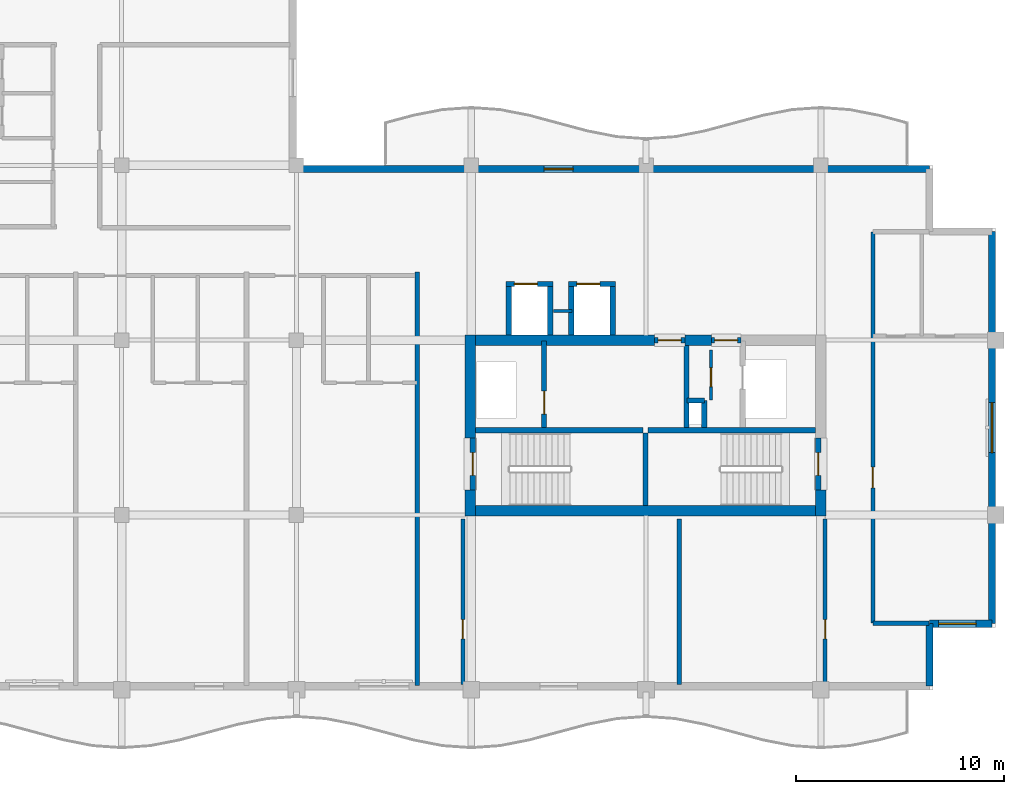
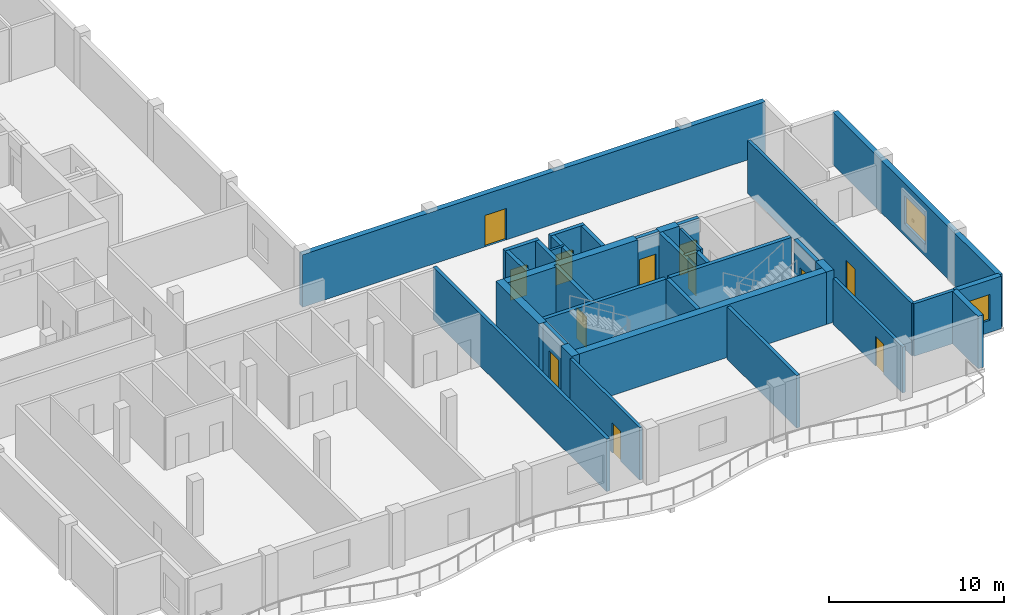
# One storey, part 7 of 17: 35 walls, 12 doors, 2 windows, 14 openings.
"""IFC4 building model written with IfcOpenShell, lengths in metres."""

from ifc_helpers import new_model, si_unit, direction, frame, frame_2d, origin, place, context, subcontext, project, spatial, rectangle, extrude, material, layer, layer_set, type_object, element, fill, save


model = new_model("IFC4")

# Units and contexts
model_context = context("Model", 3, precision=1e-05, world=origin(), true_north=direction((0.0, 1.0)))
body_context = subcontext(model_context, "Body", "Model", "MODEL_VIEW")
ifc_project = project(units=[si_unit("LENGTHUNIT", "METRE"), si_unit("AREAUNIT", "SQUARE_METRE"), si_unit("VOLUMEUNIT", "CUBIC_METRE"), si_unit("PLANEANGLEUNIT", "RADIAN"), si_unit("MASSUNIT", "GRAM", prefix="KILO")], contexts=[model_context])

# Site, building, storey
site_placement = place(None, origin())
site = spatial("IfcSite", under=ifc_project, at=site_placement, CompositionType="ELEMENT")
building_placement = place(site_placement, origin())
building = spatial("IfcBuilding", under=site, at=building_placement, Name="Koriwani Terraces Tower", CompositionType="ELEMENT")
storey_placement = place(building_placement, frame((0.0, 0.0, 316.39990234375)))
storey = spatial("IfcBuildingStorey", under=building, at=storey_placement, Name="L78", CompositionType="ELEMENT", Elevation=316.39990234375)

# Walls
ifc_material_1 = material(Name="Concrete C50/60", Category="concrete")
ifc_layer_1 = layer(ifc_material_1, 0.5, Name="Concrete C50/60")
ifc_layer_set_1 = layer_set([ifc_layer_1], Name="Concrete C50/60")
wall_type_1 = type_object("IfcWallType", Name="WALL_CORE_RC_500", PredefinedType="SHEAR", material=ifc_layer_set_1)
wall_1_placement = place(storey_placement, frame((41.949951171875, 16.75, 0.0), z_axis=(0.0, 0.0, 1.0), x_axis=(0.0, 1.0, 0.0)))
element("IfcWall", 1, at=wall_1_placement, inside=storey, type_object=wall_type_1, Name="L78 East Split Core Shear Wall W1", PredefinedType="SHEAR", context=body_context, shape_type="SweptSolid", body=[
    extrude(rectangle(XDim=1.25, YDim=0.5, at=frame_2d((0.625, 0.0))), origin(), (0.0, 0.0, 1.0), 3.670166015625),
])
wall_2_placement = place(storey_placement, frame((41.949951171875, 20.5, 0.0), z_axis=(0.0, 0.0, 1.0), x_axis=(0.0, 1.0, 0.0)))
element("IfcWall", 2, at=wall_2_placement, inside=storey, type_object=wall_type_1, Name="L78 East Split Core Shear Wall W2", PredefinedType="SHEAR", context=body_context, shape_type="SweptSolid", body=[
    extrude(rectangle(XDim=4.949951171875, YDim=0.5, at=frame_2d((2.47509765625, 0.0))), origin(), (0.0, 0.0, 1.0), 3.670166015625),
])
wall_3_placement = place(storey_placement, frame((58.800048828125, 16.75, 0.0), z_axis=(0.0, 0.0, 1.0), x_axis=(0.0, 1.0, 0.0)))
element("IfcWall", 3, at=wall_3_placement, inside=storey, type_object=wall_type_1, Name="L78 East Split Core Shear Wall E1", PredefinedType="SHEAR", context=body_context, shape_type="SweptSolid", body=[
    extrude(rectangle(XDim=1.25, YDim=0.5, at=frame_2d((0.625, 0.0))), origin(), (0.0, 0.0, 1.0), 3.670166015625),
])
wall_4_placement = place(storey_placement, frame((42.199951171875, 17.0, 0.0), z_axis=(0.0, 0.0, 1.0), x_axis=(1.0, 0.0, 0.0)))
element("IfcWall", 4, at=wall_4_placement, inside=storey, type_object=wall_type_1, Name="L78 East Split Core Shear Wall S1", PredefinedType="SHEAR", context=body_context, shape_type="SweptSolid", body=[
    extrude(rectangle(XDim=16.35009765625, YDim=0.5, at=frame_2d((8.175048828125, 0.0))), origin(), (0.0, 0.0, 1.0), 3.670166015625),
])
wall_5_placement = place(storey_placement, frame((42.199951171875, 25.199951171875, 0.0), z_axis=(0.0, 0.0, 1.0), x_axis=(1.0, 0.0, 0.0)))
element("IfcWall", 5, at=wall_5_placement, inside=storey, type_object=wall_type_1, Name="L78 East Split Core Shear Wall N1", PredefinedType="SHEAR", context=body_context, shape_type="SweptSolid", body=[
    extrude(rectangle(XDim=8.60009765625, YDim=0.5, at=frame_2d((4.300048828125, 0.0))), origin(), (0.0, 0.0, 1.0), 3.670166015625),
])
wall_6_placement = place(storey_placement, frame((52.280029296875, 25.199951171875, 0.0), z_axis=(0.0, 0.0, 1.0), x_axis=(1.0, 0.0, 0.0)))
element("IfcWall", 6, at=wall_6_placement, inside=storey, type_object=wall_type_1, Name="L78 East Split Core Shear Wall N2", PredefinedType="SHEAR", context=body_context, shape_type="SweptSolid", body=[
    extrude(rectangle(XDim=1.27001953125, YDim=0.5, at=frame_2d((0.635009765625, 0.0))), origin(), (0.0, 0.0, 1.0), 3.670166015625),
])

# Wall, opening, door
ifc_material_2 = material(Name="Autoclaved Cellular Concrete Blockwork", Category="masonry")
ifc_layer_2 = layer(ifc_material_2, 0.199951171875, Name="Autoclaved Cellular Concrete Blockwork")
ifc_layer_set_2 = layer_set([ifc_layer_2], Name="Autoclaved Cellular Concrete Blockwork")
wall_type_2 = type_object("IfcWallType", Name="WALL_CORRIDOR_200", PredefinedType="PARTITIONING", material=ifc_layer_set_2)
wall_7_placement = place(storey_placement, frame((41.60009765625, 8.64990234375, 0.0), z_axis=(0.0, 0.0, 1.0), x_axis=(0.0, 1.0, 0.0)))
wall_7 = element("IfcWall", 7, at=wall_7_placement, inside=storey, type_object=wall_type_2, Name="L78 Interior Wall WRZ4-EW-L78", PredefinedType="PARTITIONING", context=body_context, shape_type="SweptSolid", body=[
    extrude(rectangle(XDim=7.9501953125, YDim=0.199951171875, at=frame_2d((3.97509765625, 0.0))), origin(), (0.0, 0.0, 1.0), 3.670166015625),
])
opening_1_placement = place(wall_7_placement, frame((2.199951171875, 0.0, 0.0)))
opening_1 = element("IfcOpeningElement", 8, at=opening_1_placement, cuts=wall_7, Name="Opening D-06", PredefinedType="OPENING", context=body_context, shape_type="SweptSolid", body=[
    extrude(rectangle(XDim=0.919921875, YDim=2.10009765625, at=frame_2d((0.4599609375, 1.050048828125))), frame((0.0, 0.10986328125, 0.0), z_axis=(0.0, -1.0, 0.0), x_axis=(1.0, 0.0, 0.0)), (0.0, 0.0, 1.0), 0.219970703125),
])
ifc_material_3 = material(Name="Architectural Oak Fire Door", Category="wood")
door_type_1 = type_object("IfcDoorType", Name="DOOR_ROOM_INT_920X2100", OperationType="NOTDEFINED", PredefinedType="DOOR", material=ifc_material_3)
door_1_placement = place(opening_1_placement, origin())
door_1 = element("IfcDoor", 9, at=door_1_placement, inside=storey, type_object=door_type_1, Name="L78 Resident Library Study Door", OperationType="SINGLE_SWING_LEFT", OverallHeight=2.10009765625, OverallWidth=0.919921875, PredefinedType="DOOR", context=body_context, shape_type="SweptSolid", body=[
    extrude(rectangle(XDim=0.919921875, YDim=2.10009765625, at=frame_2d((0.4599609375, 1.050048828125))), frame((0.0, 0.02490234375, 0.0), z_axis=(0.0, -1.0, 0.0), x_axis=(1.0, 0.0, 0.0)), (0.0, 0.0, 1.0), 0.050048828125),
])
fill(opening_1, door_1)

wall_8_placement = place(storey_placement, frame((59.0, 8.64990234375, 0.0), z_axis=(0.0, 0.0, 1.0), x_axis=(0.0, 1.0, 0.0)))
wall_8 = element("IfcWall", 10, at=wall_8_placement, inside=storey, type_object=wall_type_2, Name="L78 Interior Wall WRZ4-EE-L78", PredefinedType="PARTITIONING", context=body_context, shape_type="SweptSolid", body=[
    extrude(rectangle(XDim=7.9501953125, YDim=0.199951171875, at=frame_2d((3.97509765625, 0.0))), origin(), (0.0, 0.0, 1.0), 3.20703125),
])
opening_2_placement = place(wall_8_placement, frame((2.199951171875, 0.0, 0.0)))
opening_2 = element("IfcOpeningElement", 11, at=opening_2_placement, cuts=wall_8, Name="Opening D-06", PredefinedType="OPENING", context=body_context, shape_type="SweptSolid", body=[
    extrude(rectangle(XDim=0.919921875, YDim=2.10009765625, at=frame_2d((0.4599609375, 1.050048828125))), frame((0.0, 0.10986328125, 0.0), z_axis=(0.0, -1.0, 0.0), x_axis=(1.0, 0.0, 0.0)), (0.0, 0.0, 1.0), 0.219970703125),
])
door_2_placement = place(opening_2_placement, origin())
door_2 = element("IfcDoor", 12, at=door_2_placement, inside=storey, type_object=door_type_1, Name="L78 Resident Laundry Room Door", OperationType="SINGLE_SWING_RIGHT", OverallHeight=2.10009765625, OverallWidth=0.919921875, PredefinedType="DOOR", context=body_context, shape_type="SweptSolid", body=[
    extrude(rectangle(XDim=0.919921875, YDim=2.10009765625, at=frame_2d((0.4599609375, 1.050048828125))), frame((0.0, 0.02490234375, 0.0), z_axis=(0.0, -1.0, 0.0), x_axis=(1.0, 0.0, 0.0)), (0.0, 0.0, 1.0), 0.050048828125),
])
fill(opening_2, door_2)

wall_9_placement = place(storey_placement, frame((61.300048828125, 11.60009765625, 0.0), z_axis=(0.0, 0.0, 1.0), x_axis=(0.0, 1.0, 0.0)))
wall_9 = element("IfcWall", 13, at=wall_9_placement, inside=storey, type_object=wall_type_2, Name="L78 Interior Wall WET-W-L78", PredefinedType="PARTITIONING", context=body_context, shape_type="SweptSolid", body=[
    extrude(rectangle(XDim=18.7998046875, YDim=0.199951171875, at=frame_2d((9.39990234375, 0.0))), origin(), (0.0, 0.0, 1.0), 3.670166015625),
])
opening_3_placement = place(wall_9_placement, frame((6.5, 0.0, 0.0)))
opening_3 = element("IfcOpeningElement", 14, at=opening_3_placement, cuts=wall_9, Name="Opening D-05", PredefinedType="OPENING", context=body_context, shape_type="SweptSolid", body=[
    extrude(rectangle(XDim=1.0, YDim=2.14990234375, at=frame_2d((0.5, 1.074951171875))), frame((0.0, 0.10986328125, 0.0), z_axis=(0.0, -1.0, 0.0), x_axis=(1.0, 0.0, 0.0)), (0.0, 0.0, 1.0), 0.219970703125),
])
door_type_2 = type_object("IfcDoorType", Name="DOOR_SUITE_ENTRY_1000X2150", OperationType="NOTDEFINED", PredefinedType="DOOR", material=ifc_material_3)
door_3_placement = place(opening_3_placement, origin())
door_3 = element("IfcDoor", 15, at=door_3_placement, inside=storey, type_object=door_type_2, Name="Apartment 78ET Entrance Door", OperationType="SINGLE_SWING_LEFT", OverallHeight=2.14990234375, OverallWidth=1.0, PredefinedType="DOOR", context=body_context, shape_type="SweptSolid", body=[
    extrude(rectangle(XDim=1.0, YDim=2.14990234375, at=frame_2d((0.5, 1.074951171875))), frame((0.0, 0.02490234375, 0.0), z_axis=(0.0, -1.0, 0.0), x_axis=(1.0, 0.0, 0.0)), (0.0, 0.0, 1.0), 0.050048828125),
])
fill(opening_3, door_3)

# Walls
ifc_layer_3 = layer(ifc_material_2, 0.219970703125, Name="Autoclaved Cellular Concrete Blockwork")
ifc_layer_set_3 = layer_set([ifc_layer_3], Name="Autoclaved Cellular Concrete Blockwork")
wall_type_3 = type_object("IfcWallType", Name="WALL_DEMISING_220", PredefinedType="PARTITIONING", material=ifc_layer_set_3)
wall_10_placement = place(storey_placement, frame((52.0, 8.64990234375, 0.0), z_axis=(0.0, 0.0, 1.0), x_axis=(0.0, 1.0, 0.0)))
element("IfcWall", 16, at=wall_10_placement, inside=storey, type_object=wall_type_3, Name="L78 Interior Wall WRZ4-EM-L78", PredefinedType="PARTITIONING", context=body_context, shape_type="SweptSolid", body=[
    extrude(rectangle(XDim=7.9501953125, YDim=0.219970703125, at=frame_2d((3.97509765625, 0.0))), origin(), (0.0, 0.0, 1.0), 3.670166015625),
])
wall_11_placement = place(storey_placement, frame((39.39990234375, 8.60009765625, 0.0), z_axis=(0.0, 0.0, 1.0), x_axis=(0.0, 1.0, 0.0)))
element("IfcWall", 17, at=wall_11_placement, inside=storey, type_object=wall_type_3, Name="L78 Interior Wall WRDEME-L78-SW", PredefinedType="PARTITIONING", context=body_context, shape_type="SweptSolid", body=[
    extrude(rectangle(XDim=19.8798828125, YDim=0.219970703125, at=frame_2d((9.93994140625, 0.0))), origin(), (0.0, 0.0, 1.0), 3.670166015625),
])
wall_12_placement = place(storey_placement, frame((61.300048828125, 11.60009765625, 0.0), z_axis=(0.0, 0.0, 1.0), x_axis=(1.0, 0.0, 0.0)))
element("IfcWall", 18, at=wall_12_placement, inside=storey, type_object=wall_type_3, Name="L78 Interior Wall WET-S-L78", PredefinedType="PARTITIONING", context=body_context, shape_type="SweptSolid", body=[
    extrude(rectangle(XDim=2.699951171875, YDim=0.219970703125, at=frame_2d((1.35009765625, 0.0))), origin(), (0.0, 0.0, 1.0), 3.670166015625),
])

# Wall, opening, door
ifc_layer_4 = layer(ifc_material_1, 0.35009765625, Name="Concrete C50/60")
ifc_layer_set_4 = layer_set([ifc_layer_4], Name="Concrete C50/60")
wall_type_4 = type_object("IfcWallType", Name="WALL_EXT_BRUTALIST_350", PredefinedType="STANDARD", material=ifc_layer_set_4)
wall_13_placement = place(storey_placement, frame((33.425048828125, 33.425048828125, 0.0), z_axis=(0.0, 0.0, 1.0), x_axis=(1.0, 0.0, 0.0)))
wall_13 = element("IfcWall", 19, at=wall_13_placement, inside=storey, type_object=wall_type_4, Name="L78 Fair-Faced Brutalist Exterior Wall (NE)", PredefinedType="STANDARD", context=body_context, shape_type="SweptSolid", body=[
    extrude(rectangle(XDim=30.599853515625, YDim=0.35009765625, at=frame_2d((15.2998046875, 0.0))), origin(), (0.0, 0.0, 1.0), 3.670166015625),
])
opening_4_placement = place(wall_13_placement, frame((12.074951171875, 0.0, 0.0)))
opening_4 = element("IfcOpeningElement", 20, at=opening_4_placement, cuts=wall_13, Name="Opening D-09", PredefinedType="OPENING", context=body_context, shape_type="SweptSolid", body=[
    extrude(rectangle(XDim=1.39990234375, YDim=2.199951171875, at=frame_2d((0.699951171875, 1.10009765625))), frame((0.0, 0.18505859375, 0.0), z_axis=(0.0, -1.0, 0.0), x_axis=(1.0, 0.0, 0.0)), (0.0, 0.0, 1.0), 0.3701171875),
])
ifc_material_4 = material(Name="Anodised Bronze Aluminium", Category="aluminium")
door_type_3 = type_object("IfcDoorType", Name="DOOR_BALCONY_GLAZED_1400X2200", OperationType="NOTDEFINED", PredefinedType="DOOR", material=ifc_material_4)
door_4_placement = place(opening_4_placement, origin())
door_4 = element("IfcDoor", 21, at=door_4_placement, inside=storey, type_object=door_type_3, Name="L78 Inner Court Balcony Glazed Door", OperationType="SINGLE_SWING_LEFT", OverallHeight=2.199951171875, OverallWidth=1.39990234375, PredefinedType="DOOR", context=body_context, shape_type="SweptSolid", body=[
    extrude(rectangle(XDim=1.39990234375, YDim=2.199951171875, at=frame_2d((0.699951171875, 1.10009765625))), frame((0.0, 0.02490234375, 0.0), z_axis=(0.0, -1.0, 0.0), x_axis=(1.0, 0.0, 0.0)), (0.0, 0.0, 1.0), 0.050048828125),
])
fill(opening_4, door_4)

# Wall, opening, window
wall_14_placement = place(storey_placement, frame((67.02490234375, 30.425048828125, 0.0), z_axis=(0.0, 0.0, 1.0), x_axis=(0.0, -1.0, 0.0)))
wall_14 = element("IfcWall", 22, at=wall_14_placement, inside=storey, type_object=wall_type_4, Name="L78 Fair-Faced Brutalist Exterior Wall (E_TIP)", PredefinedType="STANDARD", context=body_context, shape_type="SweptSolid", body=[
    extrude(rectangle(XDim=18.85009765625, YDim=0.35009765625, at=frame_2d((9.425048828125, 0.0))), origin(), (0.0, 0.0, 1.0), 3.670166015625),
])
opening_5_placement = place(wall_14_placement, frame((8.22509765625, 0.0, 0.85009765625)))
opening_5 = element("IfcOpeningElement", 23, at=opening_5_placement, cuts=wall_14, Name="Opening W-03", PredefinedType="OPENING", context=body_context, shape_type="SweptSolid", body=[
    extrude(rectangle(XDim=2.39990234375, YDim=1.949951171875, at=frame_2d((1.199951171875, 0.97509765625))), frame((0.0, 0.18505859375, 0.0), z_axis=(0.0, -1.0, 0.0), x_axis=(1.0, 0.0, 0.0)), (0.0, 0.0, 1.0), 0.3701171875),
])
ifc_material_5 = material(Name="Tempered Laminated Low-E Glass", Category="glass")
window_type_1 = type_object("IfcWindowType", Name="WIN_RES_LIVING_2400X1950", PartitioningType="DOUBLE_PANEL_VERTICAL", PredefinedType="WINDOW", material=ifc_material_5)
window_1_placement = place(opening_5_placement, origin())
window_1 = element("IfcWindow", 24, at=window_1_placement, inside=storey, type_object=window_type_1, Name="L78 Exterior Window (E_TIP-3)", OverallHeight=1.949951171875, OverallWidth=2.39990234375, PartitioningType="SINGLE_PANEL", PredefinedType="WINDOW", context=body_context, shape_type="SweptSolid", body=[
    extrude(rectangle(XDim=2.39990234375, YDim=1.949951171875, at=frame_2d((1.199951171875, 0.97509765625))), frame((0.0, 0.030029296875, 0.0), z_axis=(0.0, -1.0, 0.0), x_axis=(1.0, 0.0, 0.0)), (0.0, 0.0, 1.0), 0.06005859375),
])
fill(opening_5, window_1)

wall_15_placement = place(storey_placement, frame((67.02490234375, 11.574951171875, 0.0), z_axis=(0.0, 0.0, 1.0), x_axis=(-1.0, 0.0, 0.0)))
wall_15 = element("IfcWall", 25, at=wall_15_placement, inside=storey, type_object=wall_type_4, Name="L78 Fair-Faced Brutalist Exterior Wall (N13)", PredefinedType="STANDARD", context=body_context, shape_type="SweptSolid", body=[
    extrude(rectangle(XDim=3.0, YDim=0.35009765625, at=frame_2d((1.5, 0.0))), origin(), (0.0, 0.0, 1.0), 3.670166015625),
])
opening_6_placement = place(wall_15_placement, frame((0.762451171875, 0.0, 0.85009765625)))
opening_6 = element("IfcOpeningElement", 26, at=opening_6_placement, cuts=wall_15, Name="Opening W-04", PredefinedType="OPENING", context=body_context, shape_type="SweptSolid", body=[
    extrude(rectangle(XDim=1.800048828125, YDim=1.800048828125, at=frame_2d((0.89990234375, 0.89990234375))), frame((0.0, 0.18505859375, 0.0), z_axis=(0.0, -1.0, 0.0), x_axis=(1.0, 0.0, 0.0)), (0.0, 0.0, 1.0), 0.3701171875),
])
window_type_2 = type_object("IfcWindowType", Name="WIN_RES_BED_1800X1800", PartitioningType="DOUBLE_PANEL_VERTICAL", PredefinedType="WINDOW", material=ifc_material_5)
window_2_placement = place(opening_6_placement, origin())
window_2 = element("IfcWindow", 27, at=window_2_placement, inside=storey, type_object=window_type_2, Name="L78 Exterior Window (N13-R50)", OverallHeight=1.800048828125, OverallWidth=1.800048828125, PartitioningType="SINGLE_PANEL", PredefinedType="WINDOW", context=body_context, shape_type="SweptSolid", body=[
    extrude(rectangle(XDim=1.800048828125, YDim=1.800048828125, at=frame_2d((0.89990234375, 0.89990234375))), frame((0.0, 0.030029296875, 0.0), z_axis=(0.0, -1.0, 0.0), x_axis=(1.0, 0.0, 0.0)), (0.0, 0.0, 1.0), 0.06005859375),
])
fill(opening_6, window_2)

# Walls
wall_16_placement = place(storey_placement, frame((64.02490234375, 11.574951171875, 0.0), z_axis=(0.0, 0.0, 1.0), x_axis=(0.0, -1.0, 0.0)))
element("IfcWall", 28, at=wall_16_placement, inside=storey, type_object=wall_type_4, Name="L78 Fair-Faced Brutalist Exterior Wall (N14)", PredefinedType="STANDARD", context=body_context, shape_type="SweptSolid", body=[
    extrude(rectangle(XDim=3.0, YDim=0.35009765625, at=frame_2d((1.5, 0.0))), origin(), (0.0, 0.0, 1.0), 3.670166015625),
])
ifc_material_6 = material(Name="Concrete C40/50", Category="concrete")
ifc_layer_5 = layer(ifc_material_6, 0.25, Name="Concrete C40/50")
ifc_layer_set_5 = layer_set([ifc_layer_5], Name="Concrete C40/50")
wall_type_5 = type_object("IfcWallType", Name="WALL_SHAFT_RATED_250", PredefinedType="SOLIDWALL", material=ifc_layer_set_5)
for number, where, z_axis, x_axis, name in (
    (29, (42.199951171875, 20.875, 0.0), (0.0, 0.0, 1.0), (1.0, 0.0, 0.0), "L78 East Split Core Web Wall MID1"),
    (30, (50.5, 20.875, 0.0), (0.0, 0.0, 1.0), (1.0, 0.0, 0.0), "L78 East Split Core Web Wall MID2"),
):
    element("IfcWall", number, at=place(storey_placement, frame(where, z_axis=z_axis, x_axis=x_axis)), inside=storey, type_object=wall_type_5, Name=name, PredefinedType="SOLIDWALL", context=body_context, shape_type="SweptSolid", body=[
        extrude(rectangle(XDim=8.050048828125, YDim=0.25, at=frame_2d((4.02490234375, 0.0))), origin(), (0.0, 0.0, 1.0), 3.670166015625),
    ])
wall_17_placement = place(storey_placement, frame((50.375, 17.25, 0.0), z_axis=(0.0, 0.0, 1.0), x_axis=(0.0, 1.0, 0.0)))
element("IfcWall", 31, at=wall_17_placement, inside=storey, type_object=wall_type_5, Name="L78 East Split Core Stair Dividing Wall", PredefinedType="SOLIDWALL", context=body_context, shape_type="SweptSolid", body=[
    extrude(rectangle(XDim=3.5, YDim=0.25, at=frame_2d((1.75, 0.0))), origin(), (0.0, 0.0, 1.0), 3.670166015625),
])

# Wall, opening, door
wall_18_placement = place(storey_placement, frame((42.074951171875, 18.0, 0.0), z_axis=(0.0, 0.0, 1.0), x_axis=(0.0, 1.0, 0.0)))
wall_18 = element("IfcWall", 32, at=wall_18_placement, inside=storey, type_object=wall_type_5, Name="L78 Interior Wall WIN-CE-L78-STW", PredefinedType="SOLIDWALL", context=body_context, shape_type="SweptSolid", body=[
    extrude(rectangle(XDim=2.5, YDim=0.25, at=frame_2d((1.25, 0.0))), origin(), (0.0, 0.0, 1.0), 3.670166015625),
])
opening_7_placement = place(wall_18_placement, frame((0.699951171875, 0.0, 0.0)))
opening_7 = element("IfcOpeningElement", 33, at=opening_7_placement, cuts=wall_18, Name="Opening D-03", PredefinedType="OPENING", context=body_context, shape_type="SweptSolid", body=[
    extrude(rectangle(XDim=1.10009765625, YDim=2.14990234375, at=frame_2d((0.550048828125, 1.074951171875))), frame((0.0, 0.135009765625, 0.0), z_axis=(0.0, -1.0, 0.0), x_axis=(1.0, 0.0, 0.0)), (0.0, 0.0, 1.0), 0.27001953125),
])
ifc_material_7 = material(Name="Steel ASTM A572 Grade 50", Category="steel")
door_type_4 = type_object("IfcDoorType", Name="DOOR_STAIR_FIRE_1100X2150", OperationType="NOTDEFINED", PredefinedType="DOOR", material=ifc_material_7)
door_5_placement = place(opening_7_placement, origin())
door_5 = element("IfcDoor", 34, at=door_5_placement, inside=storey, type_object=door_type_4, Name="L78 Exit Stair ST-E1 Door", OperationType="SINGLE_SWING_LEFT", OverallHeight=2.14990234375, OverallWidth=1.10009765625, PredefinedType="DOOR", context=body_context, shape_type="SweptSolid", body=[
    extrude(rectangle(XDim=1.10009765625, YDim=2.14990234375, at=frame_2d((0.550048828125, 1.074951171875))), frame((0.0, 0.02490234375, 0.0), z_axis=(0.0, -1.0, 0.0), x_axis=(1.0, 0.0, 0.0)), (0.0, 0.0, 1.0), 0.050048828125),
])
fill(opening_7, door_5)

wall_19_placement = place(storey_placement, frame((58.675048828125, 18.0, 0.0), z_axis=(0.0, 0.0, 1.0), x_axis=(0.0, 1.0, 0.0)))
wall_19 = element("IfcWall", 35, at=wall_19_placement, inside=storey, type_object=wall_type_5, Name="L78 Interior Wall WIN-CE-L78-STE", PredefinedType="SOLIDWALL", context=body_context, shape_type="SweptSolid", body=[
    extrude(rectangle(XDim=2.5, YDim=0.25, at=frame_2d((1.25, 0.0))), origin(), (0.0, 0.0, 1.0), 3.670166015625),
])
opening_8_placement = place(wall_19_placement, frame((0.699951171875, 0.0, 0.0)))
opening_8 = element("IfcOpeningElement", 36, at=opening_8_placement, cuts=wall_19, Name="Opening D-03", PredefinedType="OPENING", context=body_context, shape_type="SweptSolid", body=[
    extrude(rectangle(XDim=1.10009765625, YDim=2.14990234375, at=frame_2d((0.550048828125, 1.074951171875))), frame((0.0, 0.135009765625, 0.0), z_axis=(0.0, -1.0, 0.0), x_axis=(1.0, 0.0, 0.0)), (0.0, 0.0, 1.0), 0.27001953125),
])
door_6_placement = place(opening_8_placement, origin())
door_6 = element("IfcDoor", 37, at=door_6_placement, inside=storey, type_object=door_type_4, Name="L78 Exit Stair ST-E2 Door", OperationType="SINGLE_SWING_RIGHT", OverallHeight=2.14990234375, OverallWidth=1.10009765625, PredefinedType="DOOR", context=body_context, shape_type="SweptSolid", body=[
    extrude(rectangle(XDim=1.10009765625, YDim=2.14990234375, at=frame_2d((0.550048828125, 1.074951171875))), frame((0.0, 0.02490234375, 0.0), z_axis=(0.0, -1.0, 0.0), x_axis=(1.0, 0.0, 0.0)), (0.0, 0.0, 1.0), 0.050048828125),
])
fill(opening_8, door_6)

wall_20_placement = place(storey_placement, frame((45.5, 21.0, 0.0), z_axis=(0.0, 0.0, 1.0), x_axis=(0.0, 1.0, 0.0)))
wall_20 = element("IfcWall", 38, at=wall_20_placement, inside=storey, type_object=wall_type_5, Name="L78 Interior Wall WIN-CE-L78-FE", PredefinedType="SOLIDWALL", context=body_context, shape_type="SweptSolid", body=[
    extrude(rectangle(XDim=4.14990234375, YDim=0.25, at=frame_2d((2.074951171875, 0.0))), origin(), (0.0, 0.0, 1.0), 3.670166015625),
])
opening_9_placement = place(wall_20_placement, frame((0.64990234375, 0.0, 0.0)))
opening_9 = element("IfcOpeningElement", 39, at=opening_9_placement, cuts=wall_20, Name="Opening LD-01", PredefinedType="OPENING", context=body_context, shape_type="SweptSolid", body=[
    extrude(rectangle(XDim=1.10009765625, YDim=2.14990234375, at=frame_2d((0.550048828125, 1.074951171875))), frame((0.0, 0.135009765625, 0.0), z_axis=(0.0, -1.0, 0.0), x_axis=(1.0, 0.0, 0.0)), (0.0, 0.0, 1.0), 0.27001953125),
])
door_type_5 = type_object("IfcDoorType", Name="DOOR_LIFT_LANDING_1100X2200", OperationType="NOTDEFINED", PredefinedType="DOOR", material=ifc_material_7)
door_7_placement = place(opening_9_placement, origin())
door_7 = element("IfcDoor", 40, at=door_7_placement, inside=storey, type_object=door_type_5, Name="L78 Firefighting Lift FE-02 Landing Door", OperationType="SLIDING_TO_LEFT", OverallHeight=2.14990234375, OverallWidth=1.10009765625, PredefinedType="DOOR", context=body_context, shape_type="SweptSolid", body=[
    extrude(rectangle(XDim=1.10009765625, YDim=2.14990234375, at=frame_2d((0.550048828125, 1.074951171875))), frame((0.0, 0.02490234375, 0.0), z_axis=(0.0, -1.0, 0.0), x_axis=(1.0, 0.0, 0.0)), (0.0, 0.0, 1.0), 0.050048828125),
])
fill(opening_9, door_7)

wall_21_placement = place(storey_placement, frame((50.800048828125, 25.199951171875, 0.0), z_axis=(0.0, 0.0, 1.0), x_axis=(1.0, 0.0, 0.0)))
wall_21 = element("IfcWall", 41, at=wall_21_placement, inside=storey, type_object=wall_type_5, Name="L78 Interior Wall WIN-CE-L78-NP", PredefinedType="SOLIDWALL", context=body_context, shape_type="SweptSolid", body=[
    extrude(rectangle(XDim=1.47998046875, YDim=0.25, at=frame_2d((0.739990234375, 0.0))), origin(), (0.0, 0.0, 1.0), 3.670166015625),
])
opening_10_placement = place(wall_21_placement, frame((0.179931640625, 0.0, 0.0)))
opening_10 = element("IfcOpeningElement", 42, at=opening_10_placement, cuts=wall_21, Name="Opening D-03", PredefinedType="OPENING", context=body_context, shape_type="SweptSolid", body=[
    extrude(rectangle(XDim=1.10009765625, YDim=2.14990234375, at=frame_2d((0.550048828125, 1.074951171875))), frame((0.0, 0.135009765625, 0.0), z_axis=(0.0, -1.0, 0.0), x_axis=(1.0, 0.0, 0.0)), (0.0, 0.0, 1.0), 0.27001953125),
])
door_8_placement = place(opening_10_placement, origin())
door_8 = element("IfcDoor", 43, at=door_8_placement, inside=storey, type_object=door_type_4, Name="L78 East Firefighting Lobby Door", OperationType="SINGLE_SWING_LEFT", OverallHeight=2.14990234375, OverallWidth=1.10009765625, PredefinedType="DOOR", context=body_context, shape_type="SweptSolid", body=[
    extrude(rectangle(XDim=1.10009765625, YDim=2.14990234375, at=frame_2d((0.550048828125, 1.074951171875))), frame((0.0, 0.02490234375, 0.0), z_axis=(0.0, -1.0, 0.0), x_axis=(1.0, 0.0, 0.0)), (0.0, 0.0, 1.0), 0.050048828125),
])
fill(opening_10, door_8)

# Wall
wall_22_placement = place(storey_placement, frame((52.340087890625, 21.0, 0.0), z_axis=(0.0, 0.0, 1.0), x_axis=(0.0, 1.0, 0.0)))
element("IfcWall", 44, at=wall_22_placement, inside=storey, type_object=wall_type_5, Name="L78 Interior Wall WIN-CE-L78-FFE", PredefinedType="SOLIDWALL", context=body_context, shape_type="SweptSolid", body=[
    extrude(rectangle(XDim=3.949951171875, YDim=0.25, at=frame_2d((1.97509765625, 0.0))), origin(), (0.0, 0.0, 1.0), 3.670166015625),
])

# Wall, opening, door
wall_23_placement = place(storey_placement, frame((53.550048828125, 25.199951171875, 0.0), z_axis=(0.0, 0.0, 1.0), x_axis=(1.0, 0.0, 0.0)))
wall_23 = element("IfcWall", 45, at=wall_23_placement, inside=storey, type_object=wall_type_5, Name="L78 Interior Wall WIN-CE-L78-NP2", PredefinedType="SOLIDWALL", context=body_context, shape_type="SweptSolid", body=[
    extrude(rectangle(XDim=1.39990234375, YDim=0.25, at=frame_2d((0.699951171875, 0.0))), origin(), (0.0, 0.0, 1.0), 3.670166015625),
])
opening_11_placement = place(wall_23_placement, frame((0.14990234375, 0.0, 0.0)))
opening_11 = element("IfcOpeningElement", 46, at=opening_11_placement, cuts=wall_23, Name="Opening D-03", PredefinedType="OPENING", context=body_context, shape_type="SweptSolid", body=[
    extrude(rectangle(XDim=1.10009765625, YDim=2.14990234375, at=frame_2d((0.550048828125, 1.074951171875))), frame((0.0, 0.135009765625, 0.0), z_axis=(0.0, -1.0, 0.0), x_axis=(1.0, 0.0, 0.0)), (0.0, 0.0, 1.0), 0.27001953125),
])
door_9_placement = place(opening_11_placement, origin())
door_9 = element("IfcDoor", 47, at=door_9_placement, inside=storey, type_object=door_type_4, Name="L78 East Goods Lift Lobby Door", OperationType="SINGLE_SWING_RIGHT", OverallHeight=2.14990234375, OverallWidth=1.10009765625, PredefinedType="DOOR", context=body_context, shape_type="SweptSolid", body=[
    extrude(rectangle(XDim=1.10009765625, YDim=2.14990234375, at=frame_2d((0.550048828125, 1.074951171875))), frame((0.0, 0.02490234375, 0.0), z_axis=(0.0, -1.0, 0.0), x_axis=(1.0, 0.0, 0.0)), (0.0, 0.0, 1.0), 0.050048828125),
])
fill(opening_11, door_9)

# Walls
wall_24_placement = place(storey_placement, frame((53.199951171875, 21.0, 0.0), z_axis=(0.0, 0.0, 1.0), x_axis=(0.0, 1.0, 0.0)))
element("IfcWall", 48, at=wall_24_placement, inside=storey, type_object=wall_type_5, Name="L78 Interior Wall WIN-CE-L78-RS1", PredefinedType="SOLIDWALL", context=body_context, shape_type="SweptSolid", body=[
    extrude(rectangle(XDim=1.300048828125, YDim=0.25, at=frame_2d((0.64990234375, 0.0))), origin(), (0.0, 0.0, 1.0), 3.670166015625),
])
wall_25_placement = place(storey_placement, frame((52.360107421875, 22.300048828125, 0.0), z_axis=(0.0, 0.0, 1.0), x_axis=(1.0, 0.0, 0.0)))
element("IfcWall", 49, at=wall_25_placement, inside=storey, type_object=wall_type_5, Name="L78 Interior Wall WIN-CE-L78-RS2", PredefinedType="SOLIDWALL", context=body_context, shape_type="SweptSolid", body=[
    extrude(rectangle(XDim=0.83984375, YDim=0.25, at=frame_2d((0.419921875, 0.0))), origin(), (0.0, 0.0, 1.0), 3.670166015625),
])

# Wall, opening, door
wall_26_placement = place(storey_placement, frame((43.675048828125, 27.89990234375, 0.0), z_axis=(0.0, 0.0, 1.0), x_axis=(1.0, 0.0, 0.0)))
wall_26 = element("IfcWall", 50, at=wall_26_placement, inside=storey, type_object=wall_type_5, Name="L78 Interior Wall WIN-LF-PE-H3-L78-F", PredefinedType="SOLIDWALL", context=body_context, shape_type="SweptSolid", body=[
    extrude(rectangle(XDim=2.25, YDim=0.25, at=frame_2d((1.125, 0.0))), origin(), (0.0, 0.0, 1.0), 3.670166015625),
])
opening_12_placement = place(wall_26_placement, frame((0.39990234375, 0.0, 0.0)))
opening_12 = element("IfcOpeningElement", 51, at=opening_12_placement, cuts=wall_26, Name="Opening LD-01", PredefinedType="OPENING", context=body_context, shape_type="SweptSolid", body=[
    extrude(rectangle(XDim=1.10009765625, YDim=2.14990234375, at=frame_2d((0.550048828125, 1.074951171875))), frame((0.0, 0.135009765625, 0.0), z_axis=(0.0, -1.0, 0.0), x_axis=(1.0, 0.0, 0.0)), (0.0, 0.0, 1.0), 0.27001953125),
])
door_10_placement = place(opening_12_placement, origin())
door_10 = element("IfcDoor", 52, at=door_10_placement, inside=storey, type_object=door_type_5, Name="L78 Passenger Lift PE-H3 Landing Door", OperationType="SLIDING_TO_LEFT", OverallHeight=2.14990234375, OverallWidth=1.10009765625, PredefinedType="DOOR", context=body_context, shape_type="SweptSolid", body=[
    extrude(rectangle(XDim=1.10009765625, YDim=2.14990234375, at=frame_2d((0.550048828125, 1.074951171875))), frame((0.0, 0.02490234375, 0.0), z_axis=(0.0, -1.0, 0.0), x_axis=(1.0, 0.0, 0.0)), (0.0, 0.0, 1.0), 0.050048828125),
])
fill(opening_12, door_10)

# Walls
for number, where, z_axis, x_axis, name in (
    (53, (43.800048828125, 25.449951171875, 0.0), (0.0, 0.0, 1.0), (0.0, 1.0, 0.0), "L78 Interior Wall WIN-LF-PE-H3-L78-W"),
    (54, (45.800048828125, 25.449951171875, 0.0), (0.0, 0.0, 1.0), (0.0, 1.0, 0.0), "L78 Interior Wall WIN-LF-PE-H3-L78-E"),
):
    element("IfcWall", number, at=place(storey_placement, frame(where, z_axis=z_axis, x_axis=x_axis)), inside=storey, type_object=wall_type_5, Name=name, PredefinedType="SOLIDWALL", context=body_context, shape_type="SweptSolid", body=[
        extrude(rectangle(XDim=2.324951171875, YDim=0.25, at=frame_2d((1.16259765625, 0.0))), origin(), (0.0, 0.0, 1.0), 3.670166015625),
    ])

# Wall, opening, door
wall_27_placement = place(storey_placement, frame((46.675048828125, 27.89990234375, 0.0), z_axis=(0.0, 0.0, 1.0), x_axis=(1.0, 0.0, 0.0)))
wall_27 = element("IfcWall", 55, at=wall_27_placement, inside=storey, type_object=wall_type_5, Name="L78 Interior Wall WIN-LF-PE-H4-L78-F", PredefinedType="SOLIDWALL", context=body_context, shape_type="SweptSolid", body=[
    extrude(rectangle(XDim=2.25, YDim=0.25, at=frame_2d((1.125, 0.0))), origin(), (0.0, 0.0, 1.0), 3.670166015625),
])
opening_13_placement = place(wall_27_placement, frame((0.39990234375, 0.0, 0.0)))
opening_13 = element("IfcOpeningElement", 56, at=opening_13_placement, cuts=wall_27, Name="Opening LD-01", PredefinedType="OPENING", context=body_context, shape_type="SweptSolid", body=[
    extrude(rectangle(XDim=1.10009765625, YDim=2.14990234375, at=frame_2d((0.550048828125, 1.074951171875))), frame((0.0, 0.135009765625, 0.0), z_axis=(0.0, -1.0, 0.0), x_axis=(1.0, 0.0, 0.0)), (0.0, 0.0, 1.0), 0.27001953125),
])
door_11_placement = place(opening_13_placement, origin())
door_11 = element("IfcDoor", 57, at=door_11_placement, inside=storey, type_object=door_type_5, Name="L78 Passenger Lift PE-H4 Landing Door", OperationType="SLIDING_TO_LEFT", OverallHeight=2.14990234375, OverallWidth=1.10009765625, PredefinedType="DOOR", context=body_context, shape_type="SweptSolid", body=[
    extrude(rectangle(XDim=1.10009765625, YDim=2.14990234375, at=frame_2d((0.550048828125, 1.074951171875))), frame((0.0, 0.02490234375, 0.0), z_axis=(0.0, -1.0, 0.0), x_axis=(1.0, 0.0, 0.0)), (0.0, 0.0, 1.0), 0.050048828125),
])
fill(opening_13, door_11)

# Walls
for number, where, z_axis, x_axis, name in (
    (58, (46.800048828125, 25.449951171875, 0.0), (0.0, 0.0, 1.0), (0.0, 1.0, 0.0), "L78 Interior Wall WIN-LF-PE-H4-L78-W"),
    (59, (48.800048828125, 25.449951171875, 0.0), (0.0, 0.0, 1.0), (0.0, 1.0, 0.0), "L78 Interior Wall WIN-LF-PE-H4-L78-E"),
):
    element("IfcWall", number, at=place(storey_placement, frame(where, z_axis=z_axis, x_axis=x_axis)), inside=storey, type_object=wall_type_5, Name=name, PredefinedType="SOLIDWALL", context=body_context, shape_type="SweptSolid", body=[
        extrude(rectangle(XDim=2.324951171875, YDim=0.25, at=frame_2d((1.16259765625, 0.0))), origin(), (0.0, 0.0, 1.0), 3.670166015625),
    ])

# Wall, opening, door
ifc_material_8 = material(Name="Fire-Rated Acoustic Gypsum Partition", Category="masonry")
ifc_layer_6 = layer(ifc_material_8, 0.159912109375, Name="Fire-Rated Acoustic Gypsum Partition")
ifc_layer_set_6 = layer_set([ifc_layer_6], Name="Fire-Rated Acoustic Gypsum Partition")
wall_type_6 = type_object("IfcWallType", Name="WALL_SUITE_160", PredefinedType="PARTITIONING", material=ifc_layer_set_6)
wall_28_placement = place(storey_placement, frame((53.52001953125, 22.320068359375, 0.0), z_axis=(0.0, 0.0, 1.0), x_axis=(0.0, 1.0, 0.0)))
wall_28 = element("IfcWall", 60, at=wall_28_placement, inside=storey, type_object=wall_type_6, Name="L78 Interior Wall WIN-CE-L78-SV0", PredefinedType="PARTITIONING", context=body_context, shape_type="SweptSolid", body=[
    extrude(rectangle(XDim=2.39990234375, YDim=0.159912109375, at=frame_2d((1.199951171875, 0.0))), origin(), (0.0, 0.0, 1.0), 3.670166015625),
])
opening_14_placement = place(wall_28_placement, frame((0.64990234375, 0.0, 0.0)))
opening_14 = element("IfcOpeningElement", 61, at=opening_14_placement, cuts=wall_28, Name="Opening D-07", PredefinedType="OPENING", context=body_context, shape_type="SweptSolid", body=[
    extrude(rectangle(XDim=0.89990234375, YDim=2.10009765625, at=frame_2d((0.449951171875, 1.050048828125))), frame((0.0, 0.08984375, 0.0), z_axis=(0.0, -1.0, 0.0), x_axis=(1.0, 0.0, 0.0)), (0.0, 0.0, 1.0), 0.179931640625),
])
door_type_6 = type_object("IfcDoorType", Name="DOOR_BATH_INT_900X2100", OperationType="NOTDEFINED", PredefinedType="DOOR", material=ifc_material_3)
door_12_placement = place(opening_14_placement, origin())
door_12 = element("IfcDoor", 62, at=door_12_placement, inside=storey, type_object=door_type_6, Name="L78 East Electrical Switch Room Door", OperationType="SINGLE_SWING_LEFT", OverallHeight=2.10009765625, OverallWidth=0.89990234375, PredefinedType="DOOR", context=body_context, shape_type="SweptSolid", body=[
    extrude(rectangle(XDim=0.89990234375, YDim=2.10009765625, at=frame_2d((0.449951171875, 1.050048828125))), frame((0.0, 0.02490234375, 0.0), z_axis=(0.0, -1.0, 0.0), x_axis=(1.0, 0.0, 0.0)), (0.0, 0.0, 1.0), 0.050048828125),
])
fill(opening_14, door_12)

# Wall
wall_29_placement = place(storey_placement, frame((45.9599609375, 26.60009765625, 0.0), z_axis=(0.0, 0.0, 1.0), x_axis=(1.0, 0.0, 0.0)))
element("IfcWall", 63, at=wall_29_placement, inside=storey, type_object=wall_type_6, Name="L78 Interior Wall WIN-LF-PEH34-MID-L78", PredefinedType="PARTITIONING", context=body_context, shape_type="SweptSolid", body=[
    extrude(rectangle(XDim=0.880126953125, YDim=0.159912109375, at=frame_2d((0.43994140625, 0.0))), origin(), (0.0, 0.0, 1.0), 3.670166015625),
])

save(model, "model.ifc")
